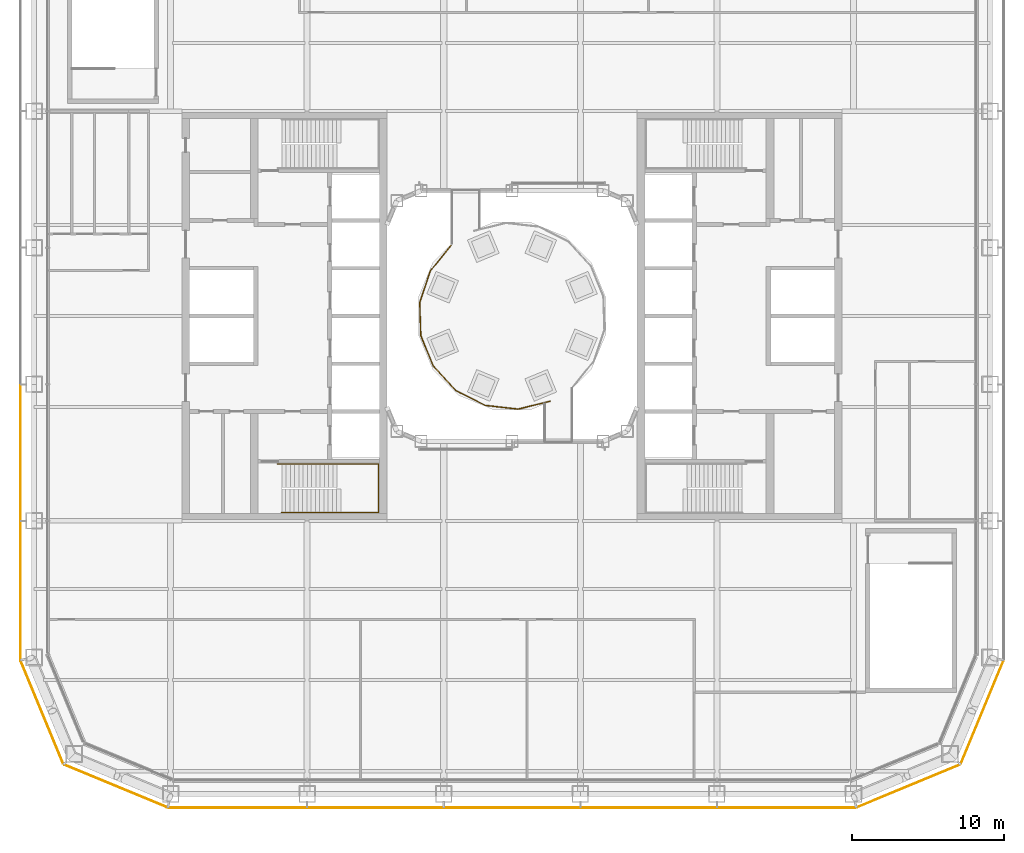
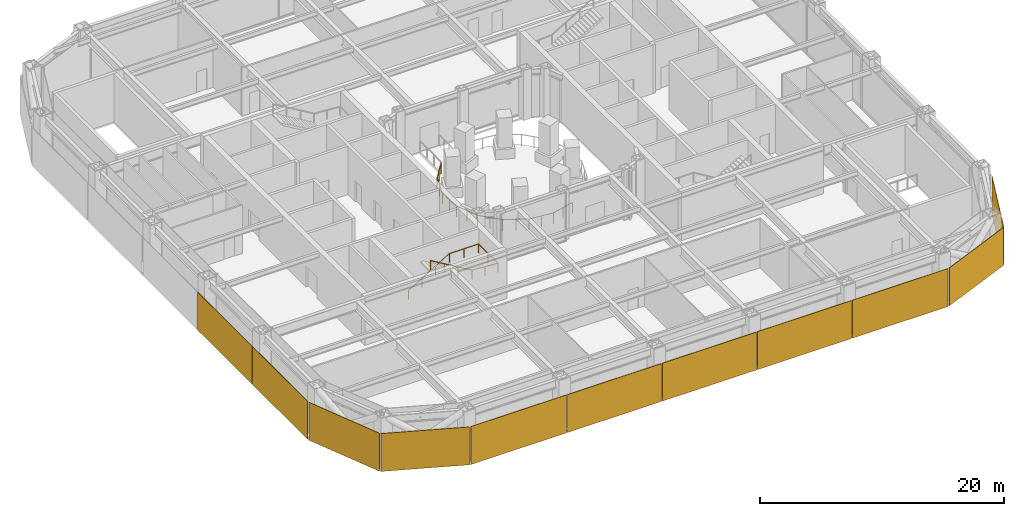
# One storey, part 20 of 25: 11 coverings, 2 railings.
"""IFC4 building model written with IfcOpenShell, lengths in metres."""

from ifc_helpers import new_model, si_unit, direction, frame, origin, origin_2d, place, context, subcontext, project, spatial, rectangle, circle, extrude, material, layer, layer_set, type_object, element, save


model = new_model("IFC4")

# Units and contexts
model_context = context("Model", 3, precision=1e-05, world=origin(), true_north=direction((0.0, 1.0)))
body_context = subcontext(model_context, "Body", "Model", "MODEL_VIEW")
ifc_project = project(units=[si_unit("LENGTHUNIT", "METRE"), si_unit("AREAUNIT", "SQUARE_METRE"), si_unit("VOLUMEUNIT", "CUBIC_METRE"), si_unit("PLANEANGLEUNIT", "RADIAN"), si_unit("MASSUNIT", "GRAM", prefix="KILO")], contexts=[model_context])

# Site, building, storey
site_placement = place(None, origin())
site = spatial("IfcSite", under=ifc_project, at=site_placement, CompositionType="ELEMENT")
building_placement = place(site_placement, origin())
building = spatial("IfcBuilding", under=site, at=building_placement, Name="Siwar Civic Tower", CompositionType="ELEMENT")
storey_placement = place(building_placement, frame((0.0, 0.0, 17.199951171875)))
storey = spatial("IfcBuildingStorey", under=building, at=storey_placement, Name="L03", CompositionType="ELEMENT", Elevation=17.199951171875)

# Railing
ifc_material_1 = material(Name="Stainless steel", Category="steel")
railing_type_1 = type_object("IfcRailingType", Name="CORE-STAIR-HANDRAIL", PredefinedType="HANDRAIL", material=ifc_material_1)
railing_1_placement = place(storey_placement, frame((-15.449951171875, -9.758056640625, 0.166748046875)))
element("IfcRailing", 1, at=railing_1_placement, inside=storey, type_object=railing_type_1, Name="Stair handrail ST2", PredefinedType="HANDRAIL", context=body_context, shape_type="SweptSolid", body=[
    extrude(circle(Radius=0.02001953125, at=origin_2d()), frame((0.0, 0.0, 0.8798828125), z_axis=(0.856384976194, 0.0, 0.516337847296), x_axis=(0.0, 1.0, 0.0)), (0.0, 0.0, 1.0), 4.518798828125),
    extrude(circle(Radius=0.02001953125, at=origin_2d()), frame((3.869873046875, 0.0, 3.213134765625), z_axis=(1.0, 0.0, 0.0), x_axis=(0.0, 1.0, 0.0)), (0.0, 0.0, 1.0), 2.77197265625),
    extrude(circle(Radius=0.02001953125, at=origin_2d()), frame((6.641845703125, 0.0, 3.213134765625), z_axis=(0.0, -1.0, 0.0), x_axis=(1.0, 0.0, 0.0)), (0.0, 0.0, 1.0), 3.183837890625),
    extrude(circle(Radius=0.02001953125, at=origin_2d()), frame((6.641845703125, -3.183837890625, 3.213134765625), z_axis=(-0.997732526271, 0.0, 0.067303833624), x_axis=(0.0, -1.0, 0.0)), (0.0, 0.0, 1.0), 2.4775390625),
    extrude(circle(Radius=0.02001953125, at=origin_2d()), frame((4.169921875, -3.183837890625, 3.3798828125), z_axis=(-0.859296244711, 0.0, 0.511478214419), x_axis=(0.0, -1.0, 0.0)), (0.0, 0.0, 1.0), 4.561767578125),
    extrude(circle(Radius=0.02001953125, at=origin_2d()), origin(), (0.0, 0.0, 1.0), 0.85986328125),
    extrude(circle(Radius=0.02001953125, at=origin_2d()), frame((1.2900390625, 0.0, 0.77783203125)), (0.0, 0.0, 1.0), 0.85986328125),
    extrude(circle(Radius=0.02001953125, at=origin_2d()), frame((2.579833984375, 0.0, 1.555419921875)), (0.0, 0.0, 1.0), 0.85986328125),
    extrude(circle(Radius=0.02001953125, at=origin_2d()), frame((3.869873046875, 0.0, 2.333251953125)), (0.0, 0.0, 1.0), 0.85986328125),
    extrude(circle(Radius=0.02001953125, at=origin_2d()), frame((5.255859375, 0.0, 2.333251953125)), (0.0, 0.0, 1.0), 0.85986328125),
    extrude(circle(Radius=0.02001953125, at=origin_2d()), frame((6.641845703125, 0.0, 2.333251953125)), (0.0, 0.0, 1.0), 0.85986328125),
    extrude(circle(Radius=0.02001953125, at=origin_2d()), frame((6.641845703125, -1.591796875, 2.333251953125)), (0.0, 0.0, 1.0), 0.85986328125),
    extrude(circle(Radius=0.02001953125, at=origin_2d()), frame((6.641845703125, -3.183837890625, 2.333251953125)), (0.0, 0.0, 1.0), 0.85986328125),
    extrude(circle(Radius=0.02001953125, at=origin_2d()), frame((5.40576171875, -3.183837890625, 2.41650390625)), (0.0, 0.0, 1.0), 0.85986328125),
    extrude(circle(Radius=0.02001953125, at=origin_2d()), frame((4.169921875, -3.183837890625, 2.5)), (0.0, 0.0, 1.0), 0.85986328125),
    extrude(circle(Radius=0.02001953125, at=origin_2d()), frame((2.86328125, -3.183837890625, 3.27783203125)), (0.0, 0.0, 1.0), 0.85986328125),
    extrude(circle(Radius=0.02001953125, at=origin_2d()), frame((1.556640625, -3.183837890625, 4.055419921875)), (0.0, 0.0, 1.0), 0.85986328125),
    extrude(circle(Radius=0.02001953125, at=origin_2d()), frame((0.25, -3.183837890625, 4.833251953125)), (0.0, 0.0, 1.0), 0.85986328125),
])

# Coverings
ifc_material_2 = material(Name="Perforated aluminium cassette, pale metal", Category="aluminium")
ifc_layer_1 = layer(ifc_material_2, 0.044921875)
ifc_layer_set_1 = layer_set([ifc_layer_1], Name="Perforated aluminium cassette, pale metal")
covering_type_1 = type_object("IfcCoveringType", Name="ENV-OUTER SKIN OS-2", PredefinedType="CLADDING", material=ifc_layer_set_1)
covering_1_placement = place(storey_placement, frame((30.976318359375, -26.115966796875, -0.14990234375), z_axis=(0.0, 0.0, 1.0), x_axis=(0.382683432365, 0.923879532511, 0.0)))
element("IfcCovering", 2, at=covering_1_placement, inside=storey, type_object=covering_type_1, Name="OUTER SKIN OS-2 SE2 1", PredefinedType="CLADDING", context=body_context, shape_type="SweptSolid", body=[
    extrude(rectangle(XDim=7.300048828125, YDim=0.044921875, at=origin_2d()), origin(), (0.0, 0.0, 1.0), 3.800048828125),
])
ifc_material_3 = material(Name="Perforated aluminium cassette, pale metal", Category="aluminium")
ifc_layer_2 = layer(ifc_material_3, 0.050048828125)
ifc_layer_set_2 = layer_set([ifc_layer_2], Name="Perforated aluminium cassette, pale metal")
covering_type_2 = type_object("IfcCoveringType", Name="ENV-OUTER SKIN OS-3", PredefinedType="CLADDING", material=ifc_layer_set_2)
covering_2_placement = place(storey_placement, frame((26.115966796875, -30.976318359375, -0.14990234375), z_axis=(0.0, 0.0, 1.0), x_axis=(0.923879532511, 0.382683432365, 0.0)))
element("IfcCovering", 3, at=covering_2_placement, inside=storey, type_object=covering_type_2, Name="OUTER SKIN OS-3 SE1 1", PredefinedType="CLADDING", context=body_context, shape_type="SweptSolid", body=[
    extrude(rectangle(XDim=7.300048828125, YDim=0.050048828125, at=origin_2d()), origin(), (0.0, 0.0, 1.0), 3.800048828125),
])
covering_3_placement = place(storey_placement, frame((-32.39990234375, -9.0, -0.14990234375), z_axis=(0.0, 0.0, 1.0), x_axis=(0.0, -1.0, 0.0)))
element("IfcCovering", 4, at=covering_3_placement, inside=storey, type_object=covering_type_2, Name="OUTER SKIN OS-3 W 4", PredefinedType="CLADDING", context=body_context, shape_type="SweptSolid", body=[
    extrude(rectangle(XDim=8.89990234375, YDim=0.050048828125, at=origin_2d()), origin(), (0.0, 0.0, 1.0), 3.800048828125),
])
covering_4_placement = place(storey_placement, frame((-32.39990234375, -18.07958984375, -0.14990234375), z_axis=(0.0, 0.0, 1.0), x_axis=(0.0, -1.0, 0.0)))
element("IfcCovering", 5, at=covering_4_placement, inside=storey, type_object=covering_type_2, Name="OUTER SKIN OS-3 W 5", PredefinedType="CLADDING", context=body_context, shape_type="SweptSolid", body=[
    extrude(rectangle(XDim=9.05908203125, YDim=0.050048828125, at=origin_2d()), origin(), (0.0, 0.0, 1.0), 3.800048828125),
])
ifc_material_4 = material(Name="Perforated aluminium cassette, pale metal", Category="aluminium")
ifc_layer_3 = layer(ifc_material_4, 0.054931640625)
ifc_layer_set_3 = layer_set([ifc_layer_3], Name="Perforated aluminium cassette, pale metal")
covering_type_3 = type_object("IfcCoveringType", Name="ENV-OUTER SKIN OS-4", PredefinedType="CLADDING", material=ifc_layer_set_3)
covering_5_placement = place(storey_placement, frame((-18.07958984375, -32.39990234375, -0.14990234375), z_axis=(0.0, 0.0, 1.0), x_axis=(1.0, 0.0, 0.0)))
element("IfcCovering", 6, at=covering_5_placement, inside=storey, type_object=covering_type_3, Name="OUTER SKIN OS-4 S 1", PredefinedType="CLADDING", context=body_context, shape_type="SweptSolid", body=[
    extrude(rectangle(XDim=9.05908203125, YDim=0.054931640625, at=origin_2d()), origin(), (0.0, 0.0, 1.0), 3.800048828125),
])
for number, where, z_axis, x_axis, name in (
    (7, (-9.0, -32.39990234375, -0.14990234375), (0.0, 0.0, 1.0), (1.0, 0.0, 0.0), "OUTER SKIN OS-4 S 2"),
    (8, (0.0, -32.39990234375, -0.14990234375), (0.0, 0.0, 1.0), (1.0, 0.0, 0.0), "OUTER SKIN OS-4 S 3"),
    (9, (9.0, -32.39990234375, -0.14990234375), (0.0, 0.0, 1.0), (1.0, 0.0, 0.0), "OUTER SKIN OS-4 S 4"),
):
    element("IfcCovering", number, at=place(storey_placement, frame(where, z_axis=z_axis, x_axis=x_axis)), inside=storey, type_object=covering_type_3, Name=name, PredefinedType="CLADDING", context=body_context, shape_type="SweptSolid", body=[
        extrude(rectangle(XDim=8.89990234375, YDim=0.054931640625, at=origin_2d()), origin(), (0.0, 0.0, 1.0), 3.800048828125),
    ])
covering_6_placement = place(storey_placement, frame((18.07958984375, -32.39990234375, -0.14990234375), z_axis=(0.0, 0.0, 1.0), x_axis=(1.0, 0.0, 0.0)))
element("IfcCovering", 10, at=covering_6_placement, inside=storey, type_object=covering_type_3, Name="OUTER SKIN OS-4 S 5", PredefinedType="CLADDING", context=body_context, shape_type="SweptSolid", body=[
    extrude(rectangle(XDim=9.05908203125, YDim=0.054931640625, at=origin_2d()), origin(), (0.0, 0.0, 1.0), 3.800048828125),
])
for number, where, z_axis, x_axis, name in (
    (11, (-30.976318359375, -26.115966796875, -0.14990234375), (0.0, 0.0, 1.0), (0.382683432365, -0.923879532511, 0.0), "OUTER SKIN OS-4 SW1 1"),
    (12, (-26.115966796875, -30.976318359375, -0.14990234375), (0.0, 0.0, 1.0), (0.923879532511, -0.382683432365, 0.0), "OUTER SKIN OS-4 SW2 1"),
):
    element("IfcCovering", number, at=place(storey_placement, frame(where, z_axis=z_axis, x_axis=x_axis)), inside=storey, type_object=covering_type_3, Name=name, PredefinedType="CLADDING", context=body_context, shape_type="SweptSolid", body=[
        extrude(rectangle(XDim=7.300048828125, YDim=0.054931640625, at=origin_2d()), origin(), (0.0, 0.0, 1.0), 3.800048828125),
    ])

# Railing
ifc_material_5 = material(Name="Stainless steel", Category="steel")
railing_type_2 = type_object("IfcRailingType", Name="GND-RAIL", PredefinedType="GUARDRAIL", material=ifc_material_5)
railing_2_placement = place(storey_placement, frame((-4.027587890625, 4.647705078125, 0.0)))
element("IfcRailing", 13, at=railing_2_placement, inside=storey, type_object=railing_type_2, Name="Terrace guard", PredefinedType="GUARDRAIL", context=body_context, shape_type="SweptSolid", body=[
    extrude(circle(Radius=0.02392578125, at=origin_2d()), frame((0.0, 0.0, 1.076171875), z_axis=(-0.62786201826, -0.778324666207, 0.0), x_axis=(0.778324666207, -0.62786201826, 0.0)), (0.0, 0.0, 1.0), 2.177490234375),
    extrude(circle(Radius=0.02392578125, at=origin_2d()), frame((-1.3671875, -1.69482421875, 1.076171875), z_axis=(-0.317236466423, -0.948346468529, 0.0), x_axis=(0.948346468529, -0.317236466423, 0.0)), (0.0, 0.0, 1.0), 2.177978515625),
    extrude(circle(Radius=0.02392578125, at=origin_2d()), frame((-2.05810546875, -3.76025390625, 1.076171875), z_axis=(0.033184181604, -0.999449253385, 0.0), x_axis=(0.999449253385, 0.033184181604, 0.0)), (0.0, 0.0, 1.0), 2.177734375),
    extrude(circle(Radius=0.02392578125, at=origin_2d()), frame((-1.98583984375, -5.936767578125, 1.076171875), z_axis=(0.379475162316, -0.925201924547, 0.0), x_axis=(0.925201924547, 0.379475162316, 0.0)), (0.0, 0.0, 1.0), 2.177734375),
    extrude(circle(Radius=0.02392578125, at=origin_2d()), frame((-1.159423828125, -7.95166015625, 1.076171875), z_axis=(0.678056562675, -0.735009726339, 0.0), x_axis=(0.735009726339, 0.678056562675, 0.0)), (0.0, 0.0, 1.0), 2.177734375),
    extrude(circle(Radius=0.02392578125, at=origin_2d()), frame((0.317138671875, -9.55224609375, 1.076171875), z_axis=(0.891720370588, -0.452586765912, 0.0), x_axis=(0.452586765912, 0.891720370588, 0.0)), (0.0, 0.0, 1.0), 2.177734375),
    extrude(circle(Radius=0.02392578125, at=origin_2d()), frame((2.259033203125, -10.537841796875, 1.076171875), z_axis=(0.993544229816, -0.113445420351, 0.0), x_axis=(0.113445420351, 0.993544229816, 0.0)), (0.0, 0.0, 1.0), 2.177978515625),
    extrude(circle(Radius=0.02392578125, at=origin_2d()), frame((4.4228515625, -10.784912109375, 1.076171875), z_axis=(0.970791881984, 0.239923158268, 0.0), x_axis=(-0.239923158268, 0.970791881984, 0.0)), (0.0, 0.0, 1.0), 2.177734375),
    extrude(circle(Radius=0.02099609375, at=origin_2d()), origin(), (0.0, 0.0, 1.0), 1.052001953125),
    extrude(circle(Radius=0.02099609375, at=origin_2d()), frame((-0.68359375, -0.847412109375, 0.0)), (0.0, 0.0, 1.0), 1.052001953125),
    extrude(circle(Radius=0.02099609375, at=origin_2d()), frame((-1.3671875, -1.69482421875, 0.0)), (0.0, 0.0, 1.0), 1.052001953125),
    extrude(circle(Radius=0.02099609375, at=origin_2d()), frame((-1.712646484375, -2.7275390625, 0.0)), (0.0, 0.0, 1.0), 1.052001953125),
    extrude(circle(Radius=0.02099609375, at=origin_2d()), frame((-2.05810546875, -3.76025390625, 0.0)), (0.0, 0.0, 1.0), 1.052001953125),
    extrude(circle(Radius=0.02099609375, at=origin_2d()), frame((-2.02197265625, -4.8486328125, 0.0)), (0.0, 0.0, 1.0), 1.052001953125),
    extrude(circle(Radius=0.02099609375, at=origin_2d()), frame((-1.98583984375, -5.936767578125, 0.0)), (0.0, 0.0, 1.0), 1.052001953125),
    extrude(circle(Radius=0.02099609375, at=origin_2d()), frame((-1.57275390625, -6.9443359375, 0.0)), (0.0, 0.0, 1.0), 1.052001953125),
    extrude(circle(Radius=0.02099609375, at=origin_2d()), frame((-1.159423828125, -7.95166015625, 0.0)), (0.0, 0.0, 1.0), 1.052001953125),
    extrude(circle(Radius=0.02099609375, at=origin_2d()), frame((-0.421142578125, -8.751953125, 0.0)), (0.0, 0.0, 1.0), 1.052001953125),
    extrude(circle(Radius=0.02099609375, at=origin_2d()), frame((0.317138671875, -9.55224609375, 0.0)), (0.0, 0.0, 1.0), 1.052001953125),
    extrude(circle(Radius=0.02099609375, at=origin_2d()), frame((1.2880859375, -10.044921875, 0.0)), (0.0, 0.0, 1.0), 1.052001953125),
    extrude(circle(Radius=0.02099609375, at=origin_2d()), frame((2.259033203125, -10.537841796875, 0.0)), (0.0, 0.0, 1.0), 1.052001953125),
    extrude(circle(Radius=0.02099609375, at=origin_2d()), frame((3.3408203125, -10.661376953125, 0.0)), (0.0, 0.0, 1.0), 1.052001953125),
    extrude(circle(Radius=0.02099609375, at=origin_2d()), frame((4.4228515625, -10.784912109375, 0.0)), (0.0, 0.0, 1.0), 1.052001953125),
    extrude(circle(Radius=0.02099609375, at=origin_2d()), frame((5.47998046875, -10.523681640625, 0.0)), (0.0, 0.0, 1.0), 1.052001953125),
    extrude(circle(Radius=0.02099609375, at=origin_2d()), frame((6.536865234375, -10.262451171875, 0.0)), (0.0, 0.0, 1.0), 1.052001953125),
])

save(model, "model.ifc")
